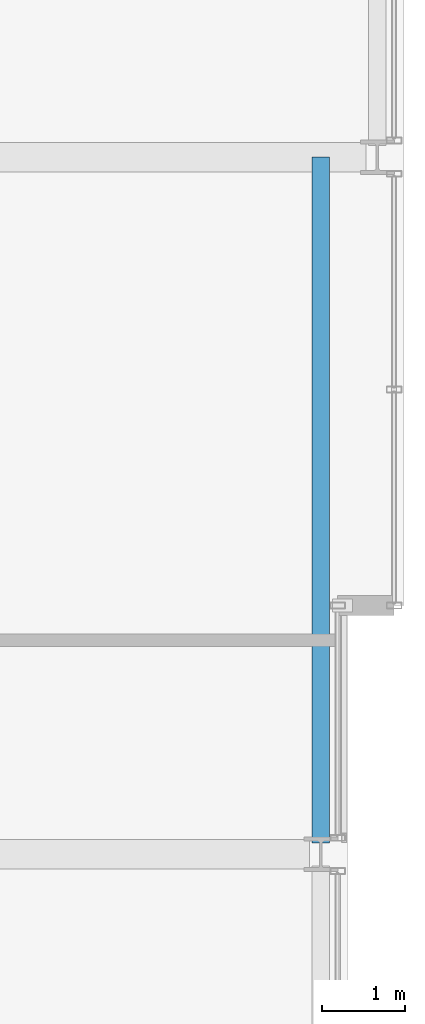
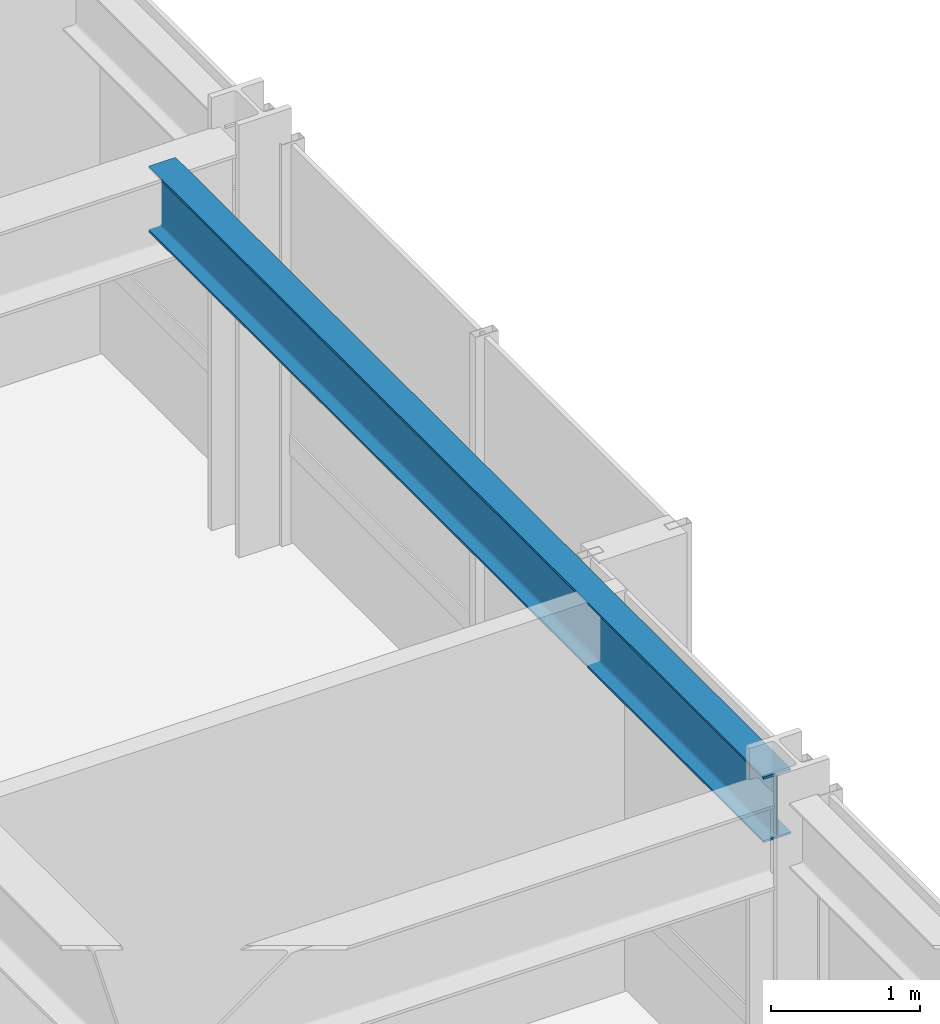
# One storey, part 16 of 34: 1 beam.
"""IFC4 building model written with IfcOpenShell, lengths in metres."""

from ifc_helpers import new_model, si_unit, direction, frame, origin, origin_2d, place, context, subcontext, project, spatial, i_section, extrude, material, material_profile, profile_set, type_object, element, save


model = new_model("IFC4")

# Units and contexts
model_context = context("Model", 3, precision=1e-05, world=origin(), true_north=direction((0.0, 1.0)))
body_context = subcontext(model_context, "Body", "Model", "MODEL_VIEW")
ifc_project = project(units=[si_unit("LENGTHUNIT", "METRE"), si_unit("AREAUNIT", "SQUARE_METRE"), si_unit("VOLUMEUNIT", "CUBIC_METRE"), si_unit("PLANEANGLEUNIT", "RADIAN"), si_unit("MASSUNIT", "GRAM", prefix="KILO")], contexts=[model_context])

# Site, building, storey
site_placement = place(None, origin())
site = spatial("IfcSite", under=ifc_project, at=site_placement, CompositionType="ELEMENT")
building_placement = place(site_placement, origin())
building = spatial("IfcBuilding", under=site, at=building_placement, Name="Drelvath Grand Hotel", CompositionType="ELEMENT")
storey_placement = place(building_placement, frame((0.0, 0.0, 175.25)))
storey = spatial("IfcBuildingStorey", under=building, at=storey_placement, Name="L45", CompositionType="ELEMENT", Elevation=175.25)

# Beam
ifc_material = material(Name="Steel ASTM A992 Gr 50", Category="steel")
ifc_material_profile = material_profile(ifc_material, i_section(OverallWidth=0.210205078125, OverallDepth=0.53662109375, WebThickness=0.010986328125, FlangeThickness=0.017333984375, FilletRadius=0.01806640625, at=origin_2d()), Name="W21X68")
ifc_profile_set = profile_set([ifc_material_profile], Name="Steel ASTM A992 Gr 50")
beam_type = type_object("IfcBeamType", Name="Perimeter Spandrel Beam W21X68", PredefinedType="SPANDREL", material=ifc_profile_set)
beam_placement = place(storey_placement, frame((21.199951171875, 27.139892578125, 3.021484375), z_axis=(0.0, 1.0, 0.0), x_axis=(-1.0, 0.0, 0.0)))
element("IfcBeam", 1, at=beam_placement, inside=storey, type_object=beam_type, Name="L45 Spandrel East Mid N", PredefinedType="SPANDREL", context=body_context, shape_type="SweptSolid", body=[
    extrude(i_section(OverallWidth=0.210205078125, OverallDepth=0.53662109375, WebThickness=0.010986328125, FlangeThickness=0.017333984375, FilletRadius=0.01806640625, at=origin_2d()), origin(), (0.0, 0.0, 1.0), 8.260009765625),
])

save(model, "model.ifc")
